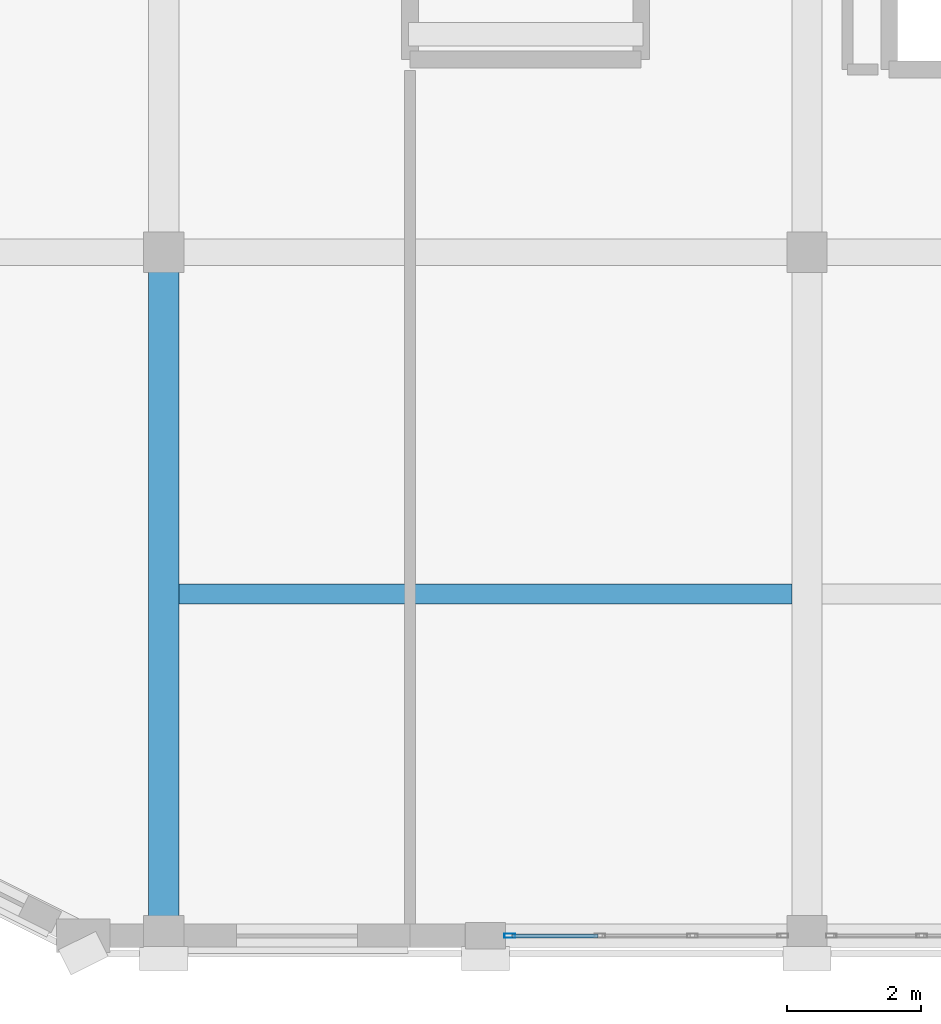
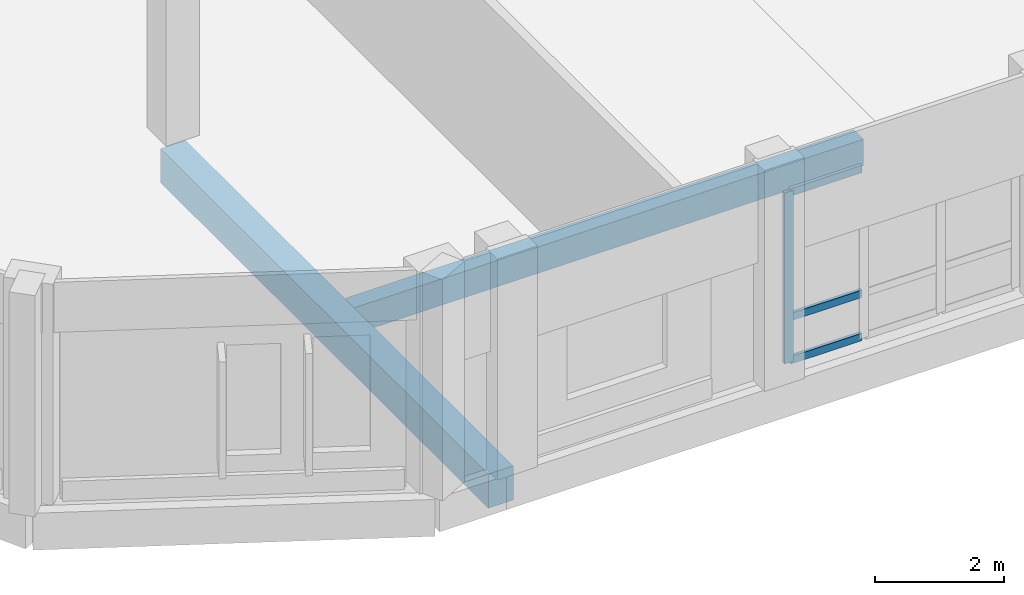
# One storey, part 9 of 93: 4 members, 2 beams, 1 element without a shape of its own.
"""IFC4 building model written with IfcOpenShell, lengths in metres."""

from ifc_helpers import new_model, si_unit, direction, frame, origin, origin_2d, place, context, subcontext, project, spatial, rectangle, hollow_rectangle, extrude, material, material_profile, profile_set, type_object, element, aggregate, save


model = new_model("IFC4")

# Units and contexts
model_context = context("Model", 3, precision=1e-05, world=origin(), true_north=direction((0.0, 1.0)))
body_context = subcontext(model_context, "Body", "Model", "MODEL_VIEW")
ifc_project = project(units=[si_unit("LENGTHUNIT", "METRE"), si_unit("AREAUNIT", "SQUARE_METRE"), si_unit("VOLUMEUNIT", "CUBIC_METRE"), si_unit("PLANEANGLEUNIT", "RADIAN"), si_unit("MASSUNIT", "GRAM", prefix="KILO")], contexts=[model_context])

# Site, building, storey
site_placement = place(None, origin())
site = spatial("IfcSite", under=ifc_project, at=site_placement, CompositionType="ELEMENT")
building_placement = place(site_placement, origin())
building = spatial("IfcBuilding", under=site, at=building_placement, Name="Vondelvale Polytechnic", CompositionType="ELEMENT")
storey_placement = place(building_placement, frame((0.0, 0.0, 18.0)))
storey = spatial("IfcBuildingStorey", under=building, at=storey_placement, Name="L04", CompositionType="ELEMENT", Elevation=18.0)

# Beam
ifc_material_1 = material(Name="Concrete N40 (f'c = 40 MPa)", Category="concrete")
ifc_material_profile_1 = material_profile(ifc_material_1, rectangle(XDim=0.449951171875, YDim=0.64990234375, at=origin_2d()), Name="RC-BM-450x650")
ifc_profile_set_1 = profile_set([ifc_material_profile_1], Name="Concrete N40 (f'c = 40 MPa)")
beam_type_1 = type_object("IfcBeamType", Name="BM-RC450x650", PredefinedType="BEAM", material=ifc_profile_set_1)
beam_1_placement = place(storey_placement, frame((9.60009765625, 0.0, -0.574951171875), z_axis=(0.0, 1.0, 0.0), x_axis=(-1.0, 0.0, 0.0)))
element("IfcBeam", 1, at=beam_1_placement, inside=storey, type_object=beam_type_1, Name="L04 B B-04", PredefinedType="BEAM", context=body_context, shape_type="SweptSolid", body=[
    extrude(rectangle(XDim=0.449951171875, YDim=0.64990234375, at=origin_2d()), origin(), (0.0, 0.0, 1.0), 10.199951171875),
])

# Curtain wall, members
ifc_material_2 = material(Name="Anodised extruded aluminium 6063-T6", Category="aluminium")
curtain_wall_type = type_object("IfcCurtainWallType", Name="CW-LIBRARY-BAY", PredefinedType="NOTDEFINED", material=ifc_material_2)
curtain_wall_placement = place(storey_placement, origin())
curtain_wall = element("IfcCurtainWall", 2, at=curtain_wall_placement, inside=storey, type_object=curtain_wall_type, Name="L04 architectural curtain wall CW-02-031", PredefinedType="NOTDEFINED")
ifc_material_profile_2 = material_profile(ifc_material_2, hollow_rectangle(XDim=0.06494140625, YDim=0.159912109375, WallThickness=0.0048828125, at=origin_2d()), Name="CW-MUL-160x65")
ifc_profile_set_2 = profile_set([ifc_material_profile_2], Name="Anodised extruded aluminium 6063-T6")
member_type_1 = type_object("IfcMemberType", Name="CW-MUL-65x160", PredefinedType="MULLION", material=ifc_profile_set_2)
member_1_placement = place(storey_placement, frame((14.762451171875, 0.0, 0.0), z_axis=(0.0, 0.0, 1.0), x_axis=(0.0, 1.0, 0.0)))
member_1 = element("IfcMember", 3, at=member_1_placement, type_object=member_type_1, Name="CW-02-031 mullion 1", PredefinedType="MULLION", context=body_context, shape_type="SweptSolid", body=[
    extrude(hollow_rectangle(XDim=0.06494140625, YDim=0.159912109375, WallThickness=0.0048828125, at=origin_2d()), origin(), (0.0, 0.0, 1.0), 3.25),
])
ifc_material_profile_3 = material_profile(ifc_material_2, hollow_rectangle(XDim=0.06005859375, YDim=0.139892578125, WallThickness=0.00341796875, at=origin_2d()), Name="CW-TRN-140x60")
ifc_profile_set_3 = profile_set([ifc_material_profile_3], Name="Anodised extruded aluminium 6063-T6")
member_type_2 = type_object("IfcMemberType", Name="CW-TRN-60x140", PredefinedType="USERDEFINED", material=ifc_profile_set_3)
member_2_placement = place(storey_placement, frame((14.794921875, 0.0, 0.030029296875), z_axis=(1.0, 0.0, 0.0), x_axis=(0.0, 1.0, 0.0)))
member_2 = element("IfcMember", 4, at=member_2_placement, type_object=member_type_2, Name="CW-02-031 transom 1.1", ObjectType="TRANSOM", PredefinedType="USERDEFINED", context=body_context, shape_type="SweptSolid", body=[
    extrude(hollow_rectangle(XDim=0.06005859375, YDim=0.139892578125, WallThickness=0.00341796875, at=origin_2d()), origin(), (0.0, 0.0, 1.0), 1.282470703125),
])
member_3_placement = place(storey_placement, frame((14.794921875, 0.0, 0.85009765625), z_axis=(1.0, 0.0, 0.0), x_axis=(0.0, 1.0, 0.0)))
member_3 = element("IfcMember", 5, at=member_3_placement, type_object=member_type_2, Name="CW-02-031 transom 1.2", ObjectType="TRANSOM", PredefinedType="USERDEFINED", context=body_context, shape_type="SweptSolid", body=[
    extrude(hollow_rectangle(XDim=0.06005859375, YDim=0.139892578125, WallThickness=0.00341796875, at=origin_2d()), origin(), (0.0, 0.0, 1.0), 1.282470703125),
])
member_4_placement = place(storey_placement, frame((14.794921875, 0.0, 3.219970703125), z_axis=(1.0, 0.0, 0.0), x_axis=(0.0, 1.0, 0.0)))
member_4 = element("IfcMember", 6, at=member_4_placement, type_object=member_type_2, Name="CW-02-031 transom 1.3", ObjectType="TRANSOM", PredefinedType="USERDEFINED", context=body_context, shape_type="SweptSolid", body=[
    extrude(hollow_rectangle(XDim=0.06005859375, YDim=0.139892578125, WallThickness=0.00341796875, at=origin_2d()), origin(), (0.0, 0.0, 1.0), 1.282470703125),
])
aggregate(curtain_wall, [member_1, member_2, member_3, member_4])

# Beam
ifc_material_profile_4 = material_profile(ifc_material_1, rectangle(XDim=0.300048828125, YDim=0.5, at=origin_2d()), Name="RC-JST-300x500")
ifc_profile_set_4 = profile_set([ifc_material_profile_4], Name="Concrete N40 (f'c = 40 MPa)")
beam_type_2 = type_object("IfcBeamType", Name="JST-RC300x500", PredefinedType="JOIST", material=ifc_profile_set_4)
beam_2_placement = place(storey_placement, frame((9.824951171875, 5.10009765625, -0.5), z_axis=(1.0, 0.0, 0.0), x_axis=(0.0, 1.0, 0.0)))
element("IfcBeam", 7, at=beam_2_placement, inside=storey, type_object=beam_type_2, Name="L04 J J-02", PredefinedType="JOIST", context=body_context, shape_type="SweptSolid", body=[
    extrude(rectangle(XDim=0.300048828125, YDim=0.5, at=origin_2d()), origin(), (0.0, 0.0, 1.0), 9.150146484375),
])

save(model, "model.ifc")
